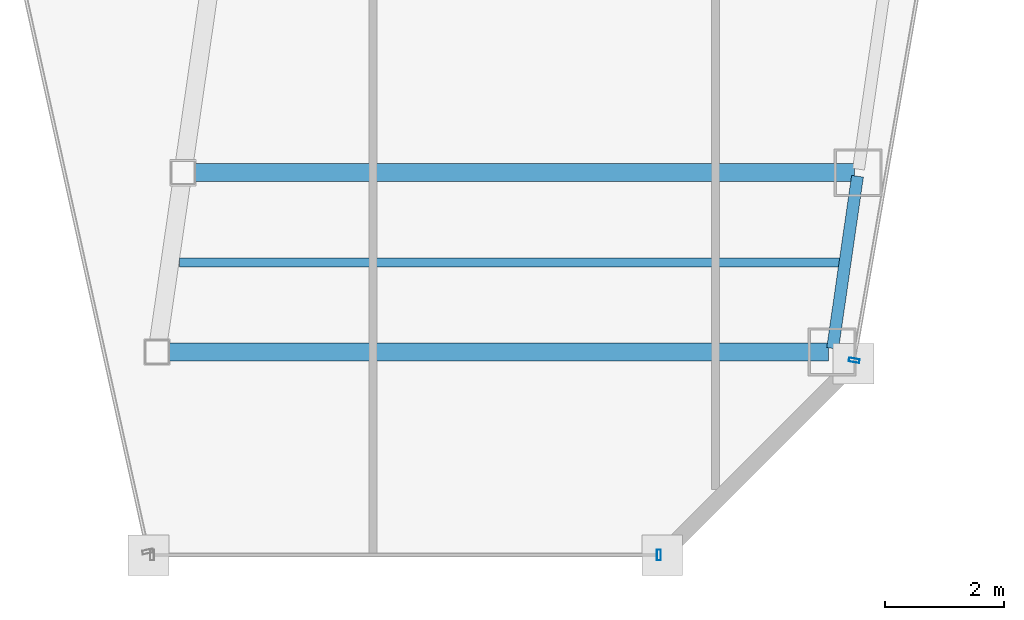
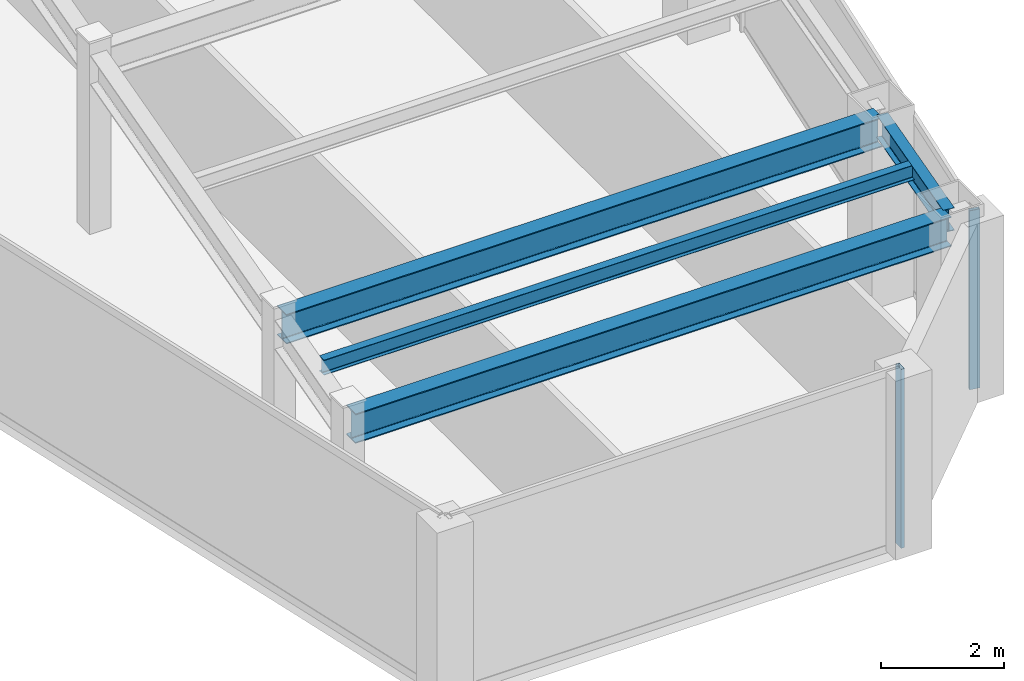
# One storey, part 14 of 33: 4 beams, 2 members, 2 elements without a shape of their own.
"""IFC4 building model written with IfcOpenShell, lengths in metres."""

from ifc_helpers import new_model, si_unit, direction, frame, origin, origin_2d, place, context, subcontext, project, spatial, hollow_rectangle, i_section, extrude, material, material_profile, profile_set, type_object, element, aggregate, save


model = new_model("IFC4")

# Units and contexts
model_context = context("Model", 3, precision=1e-05, world=origin(), true_north=direction((0.0, 1.0)))
body_context = subcontext(model_context, "Body", "Model", "MODEL_VIEW")
ifc_project = project(units=[si_unit("LENGTHUNIT", "METRE"), si_unit("AREAUNIT", "SQUARE_METRE"), si_unit("VOLUMEUNIT", "CUBIC_METRE"), si_unit("PLANEANGLEUNIT", "RADIAN"), si_unit("MASSUNIT", "GRAM", prefix="KILO")], contexts=[model_context])

# Site, building, storey
site_placement = place(None, origin())
site = spatial("IfcSite", under=ifc_project, at=site_placement, CompositionType="ELEMENT")
building_placement = place(site_placement, origin())
building = spatial("IfcBuilding", under=site, at=building_placement, Name="Saevonmaru Cultural Tower", CompositionType="ELEMENT")
storey_placement = place(building_placement, frame((0.0, 0.0, 234.39990234375)))
storey = spatial("IfcBuildingStorey", under=building, at=storey_placement, Name="L54", CompositionType="ELEMENT", Elevation=234.39990234375)

# Beams
ifc_material_1 = material(Name="Steel SM355", Category="steel")
ifc_material_profile_1 = material_profile(ifc_material_1, i_section(OverallWidth=0.300048828125, OverallDepth=0.587890625, WebThickness=0.011962890625, FlangeThickness=0.02001953125, FilletRadius=0.02392578125, at=origin_2d()), Name="H-588x300x12x20")
ifc_profile_set_1 = profile_set([ifc_material_profile_1], Name="Steel SM355")
beam_type_1 = type_object("IfcBeamType", Name="BM-G-H588", PredefinedType="BEAM", material=ifc_profile_set_1)
for number, where, z_axis, x_axis, name in (
    (1, (38.85400390625, 21.0, 3.256103515625), (1.0, 0.0, 0.0), (0.0, 1.0, 0.0), "L54 East Wing Transverse Girder 1"),
    (2, (39.2880859375, 24.0, 3.256103515625), (1.0, 0.0, 0.0), (0.0, 1.0, 0.0), "L54 East Wing Transverse Girder 2"),
):
    element("IfcBeam", number, at=place(storey_placement, frame(where, z_axis=z_axis, x_axis=x_axis)), inside=storey, type_object=beam_type_1, Name=name, PredefinedType="BEAM", context=body_context, shape_type="SweptSolid", body=[
        extrude(i_section(OverallWidth=0.300048828125, OverallDepth=0.587890625, WebThickness=0.011962890625, FlangeThickness=0.02001953125, FilletRadius=0.02392578125, at=origin_2d()), origin(), (0.0, 0.0, 1.0), 11.179931640625),
    ])
ifc_material_profile_2 = material_profile(ifc_material_1, i_section(OverallWidth=0.14990234375, OverallDepth=0.300048828125, WebThickness=0.006591796875, FlangeThickness=0.009033203125, FilletRadius=0.012939453125, at=origin_2d()), Name="H-300x150x6.5x9")
ifc_profile_set_2 = profile_set([ifc_material_profile_2], Name="Steel SM355")
beam_type_2 = type_object("IfcBeamType", Name="BM-J-H300", PredefinedType="JOIST", material=ifc_profile_set_2)
beam_1_placement = place(storey_placement, frame((39.1689453125, 22.5, 3.400146484375), z_axis=(1.0, 0.0, 0.0), x_axis=(0.0, 1.0, 0.0)))
element("IfcBeam", 3, at=beam_1_placement, inside=storey, type_object=beam_type_2, Name="L54 East Wing Floor Joist 1", PredefinedType="JOIST", context=body_context, shape_type="SweptSolid", body=[
    extrude(i_section(OverallWidth=0.14990234375, OverallDepth=0.300048828125, WebThickness=0.006591796875, FlangeThickness=0.009033203125, FilletRadius=0.012939453125, at=origin_2d()), origin(), (0.0, 0.0, 1.0), 11.08203125),
])
ifc_material_profile_3 = material_profile(ifc_material_1, i_section(OverallWidth=0.199951171875, OverallDepth=0.449951171875, WebThickness=0.009033203125, FlangeThickness=0.013916015625, FilletRadius=0.01806640625, at=origin_2d()), Name="H-450x200x9x14")
ifc_profile_set_3 = profile_set([ifc_material_profile_3], Name="Steel SM355")
beam_type_3 = type_object("IfcBeamType", Name="BM-SP-H450", PredefinedType="SPANDREL", material=ifc_profile_set_3)
beam_2_placement = place(storey_placement, frame((50.1025390625, 21.059326171875, 3.3251953125), z_axis=(0.143146955239, 0.98970144448, 0.0), x_axis=(-0.98970144448, 0.143146955239, 0.0)))
element("IfcBeam", 4, at=beam_2_placement, inside=storey, type_object=beam_type_3, Name="L54 East Splayed Spandrel 1", PredefinedType="SPANDREL", context=body_context, shape_type="SweptSolid", body=[
    extrude(i_section(OverallWidth=0.199951171875, OverallDepth=0.449951171875, WebThickness=0.009033203125, FlangeThickness=0.013916015625, FilletRadius=0.01806640625, at=origin_2d()), origin(), (0.0, 0.0, 1.0), 2.911376953125),
])

# Curtain wall, member
ifc_material_2 = material(Name="Satin Bronze Anodised Aluminium", Category="aluminium")
curtain_wall_type = type_object("IfcCurtainWallType", Name="CW-TYP-B", PredefinedType="NOTDEFINED", material=ifc_material_2)
curtain_wall_1_placement = place(storey_placement, origin())
curtain_wall_1 = element("IfcCurtainWall", 5, at=curtain_wall_1_placement, inside=storey, type_object=curtain_wall_type, Name="L54 Unitised Curtain Wall E6", PredefinedType="NOTDEFINED")
ifc_material_profile_4 = material_profile(ifc_material_2, hollow_rectangle(XDim=0.06494140625, YDim=0.179931640625, WallThickness=0.00390625, at=origin_2d()), Name="ALU-MULL-180x65x4")
ifc_profile_set_4 = profile_set([ifc_material_profile_4], Name="Satin Bronze Anodised Aluminium")
member_type = type_object("IfcMemberType", Name="ML-CW-180x65", PredefinedType="MULLION", material=ifc_profile_set_4)
member_1_placement = place(storey_placement, frame((47.193359375, 17.60009765625, 0.0), z_axis=(0.0, 0.0, 1.0), x_axis=(1.0, 0.0, 0.0)))
member_1 = element("IfcMember", 6, at=member_1_placement, type_object=member_type, Name="CW-TW-L54-E6 mullion 2", PredefinedType="MULLION", context=body_context, shape_type="SweptSolid", body=[
    extrude(hollow_rectangle(XDim=0.06494140625, YDim=0.179931640625, WallThickness=0.00390625, at=origin_2d()), origin(), (0.0, 0.0, 1.0), 3.550048828125),
])
aggregate(curtain_wall_1, [member_1])

curtain_wall_2_placement = place(storey_placement, origin())
curtain_wall_2 = element("IfcCurtainWall", 7, at=curtain_wall_2_placement, inside=storey, type_object=curtain_wall_type, Name="L54 Unitised Curtain Wall E8", PredefinedType="NOTDEFINED")
member_2_placement = place(storey_placement, frame((50.46337890625, 20.859130859375, 0.0), z_axis=(0.0, 0.0, 1.0), x_axis=(0.170790369887, 0.985307388359, 0.0)))
member_2 = element("IfcMember", 8, at=member_2_placement, type_object=member_type, Name="CW-TW-L54-E8 mullion 1", PredefinedType="MULLION", context=body_context, shape_type="SweptSolid", body=[
    extrude(hollow_rectangle(XDim=0.06494140625, YDim=0.179931640625, WallThickness=0.00390625, at=origin_2d()), origin(), (0.0, 0.0, 1.0), 3.550048828125),
])
aggregate(curtain_wall_2, [member_2])

save(model, "model.ifc")
